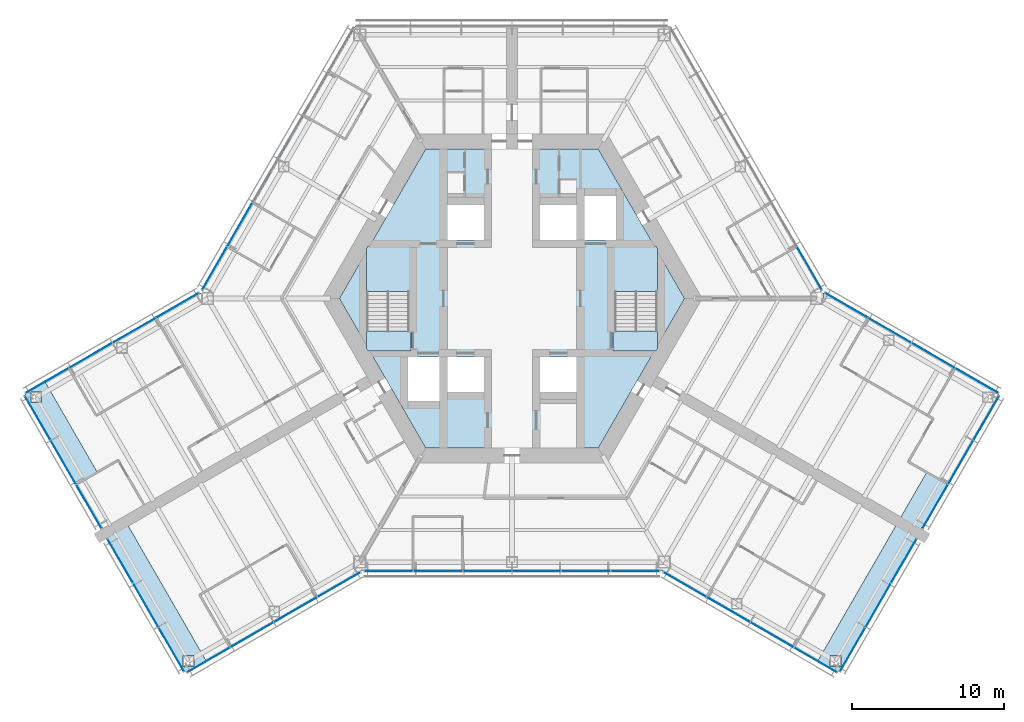
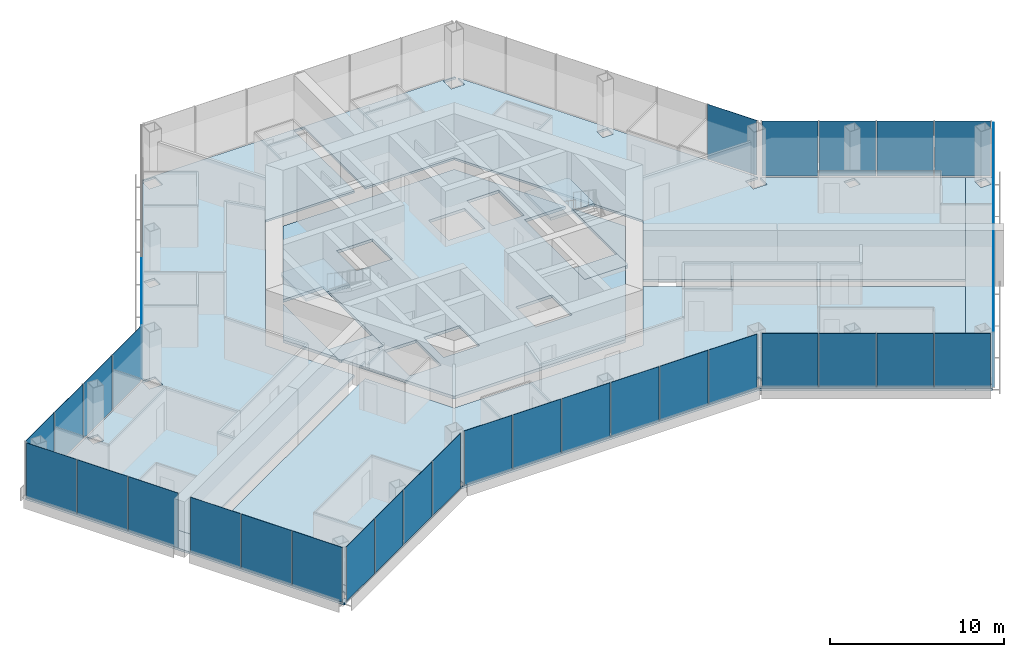
# One storey, part 10 of 18: 37 plates, 11 slabs, 13 elements without a shape of their own.
"""IFC4 building model written with IfcOpenShell, lengths in metres."""

import ifcopenshell
import ifcopenshell.guid

model = None  # the IFC model being written
_history = None  # IfcOwnerHistory: only IFC2X3 demands one
_inside = {}  # id of a spatial element -> (the spatial element, [elements in it])
_under = {}  # id of a project, library or spatial element -> (it, [spatial elements below it])
_declared = {}  # id of a project -> (the project, [libraries it declares])
_typed = {}  # id of a type object -> (the type object, [elements of that type])
_made_of = {}  # id of a material, layer set ... -> (it, [elements and type objects made of it])


def new_model(schema):
    """Start an empty IFC model of exactly this schema.

    Asked for "IFC4X3", IfcOpenShell would pick the latest addendum, in which some entities
    have other attributes; the version numbers below select the first issue.
    IFC2X3 requires an IfcOwnerHistory on every rooted entity: one is made here for all.
    """
    global model, _history
    if schema == "IFC4X3":
        model = ifcopenshell.file(schema_version=(4, 3, 0, 0))
    else:
        model = ifcopenshell.file(schema=schema)
    _inside.clear()
    _under.clear()
    _declared.clear()
    _typed.clear()
    _made_of.clear()
    _history = None
    if model.schema == "IFC2X3":
        org = make("IfcOrganization", Name="unknown")
        user = make(
            "IfcPersonAndOrganization",
            ThePerson=make("IfcPerson", FamilyName="unknown"),
            TheOrganization=org,
        )
        app = make(
            "IfcApplication",
            ApplicationDeveloper=org,
            Version="unknown",
            ApplicationFullName="unknown",
            ApplicationIdentifier="unknown",
        )
        _history = make(
            "IfcOwnerHistory",
            OwningUser=user,
            OwningApplication=app,
            ChangeAction="ADDED",
            CreationDate=0,
        )
    return model


def make(cls, **values):
    """One entity of the class cls with the attributes given. An attribute that is None is left unset."""
    return model.create_entity(
        cls, **{name: value for name, value in values.items() if value is not None}
    )


def rooted(cls, **values):
    """An entity with a GlobalId (a new one), such as an element, a storey or a relation."""
    return make(cls, GlobalId=ifcopenshell.guid.new(), OwnerHistory=_history, **values)


def si_unit(unit_type, name, prefix=None):
    """IfcSIUnit, for example si_unit("LENGTHUNIT", "METRE", prefix="MILLI")."""
    return make("IfcSIUnit", UnitType=unit_type, Prefix=prefix, Name=name)


def assignment(units):
    """IfcUnitAssignment: the units of a project."""
    return None if units is None else make("IfcUnitAssignment", Units=units)


def point(xyz):
    """IfcCartesianPoint."""
    return None if xyz is None else make("IfcCartesianPoint", Coordinates=xyz)


def direction(xyz):
    """IfcDirection."""
    return None if xyz is None else make("IfcDirection", DirectionRatios=xyz)


def frame(location, z_axis=None, x_axis=None):
    """IfcAxis2Placement3D, a coordinate frame: its origin and axes. An axis left out is left unset."""
    return make(
        "IfcAxis2Placement3D",
        Location=point(location),
        Axis=direction(z_axis),
        RefDirection=direction(x_axis),
    )


def frame_2d(location, x_axis=None):
    """IfcAxis2Placement2D, a coordinate frame in the plane: its origin and x axis."""
    return make(
        "IfcAxis2Placement2D", Location=point(location), RefDirection=direction(x_axis)
    )


def origin():
    """The frame at (0, 0, 0) with its axes left unset."""
    return frame((0.0, 0.0, 0.0))


def origin_2d():
    """The frame at (0, 0) in the plane with its x axis left unset."""
    return frame_2d((0.0, 0.0))


def place(relative_to, where):
    """IfcLocalPlacement: puts the frame where relative to a parent placement (None: the world)."""
    return make(
        "IfcLocalPlacement", PlacementRelTo=relative_to, RelativePlacement=where
    )


def context(
    kind, dimensions, precision=None, world=None, true_north=None, identifier=None
):
    """IfcGeometricRepresentationContext, for example the 3D "Model" context."""
    return make(
        "IfcGeometricRepresentationContext",
        ContextIdentifier=identifier,
        ContextType=kind,
        CoordinateSpaceDimension=dimensions,
        Precision=precision,
        WorldCoordinateSystem=world,
        TrueNorth=true_north,
    )


def subcontext(parent, identifier, kind, view, scale=None):
    """IfcGeometricRepresentationSubContext, for example "Body" below "Model"."""
    return make(
        "IfcGeometricRepresentationSubContext",
        ContextIdentifier=identifier,
        ContextType=kind,
        ParentContext=parent,
        TargetScale=scale,
        TargetView=view,
    )


def project(units=None, contexts=None):
    """IfcProject with its units and contexts."""
    return rooted(
        "IfcProject",
        Name="project",
        RepresentationContexts=contexts,
        UnitsInContext=assignment(units),
    )


def spatial(cls, under=None, at=None, **own):
    """A site, building, storey or space (cls), placed at a placement, below another one or the project."""
    s = rooted(cls, ObjectPlacement=at, **own)
    if under is not None:
        _under.setdefault(under.id(), (under, []))[1].append(s)
    return s


def polyline(points):
    """IfcPolyline through the points."""
    return make("IfcPolyline", Points=[point(p) for p in points])


def profile(cls, at=None, kind="AREA", **sizes):
    """A parametric profile (cls). Its sizes go by their IFC names, for example OverallWidth=200.0."""
    return make(cls, ProfileType=kind, Position=at, **sizes)


def rectangle(**sizes):
    """IfcRectangleProfileDef."""
    return profile("IfcRectangleProfileDef", **sizes)


def outline(outer, holes=None, kind="AREA"):
    """IfcArbitraryClosedProfileDef: a profile drawn as a closed curve; with holes, ...WithVoids."""
    if holes is None:
        return make("IfcArbitraryClosedProfileDef", ProfileType=kind, OuterCurve=outer)
    return make(
        "IfcArbitraryProfileDefWithVoids",
        ProfileType=kind,
        OuterCurve=outer,
        InnerCurves=holes,
    )


def extrude(swept, where, along, depth):
    """IfcExtrudedAreaSolid: the profile swept, set in the frame where, extruded along a direction by depth."""
    return make(
        "IfcExtrudedAreaSolid",
        SweptArea=swept,
        Position=where,
        ExtrudedDirection=direction(along),
        Depth=depth,
    )


def shape(context_of_items, identifier, shape_type, items):
    """IfcShapeRepresentation: the items that make up one representation, for example the "Body"."""
    return make(
        "IfcShapeRepresentation",
        ContextOfItems=context_of_items,
        RepresentationIdentifier=identifier,
        RepresentationType=shape_type,
        Items=items,
    )


def material(Name=None, Category=None):
    """IfcMaterial."""
    return make("IfcMaterial", Name=Name, Category=Category)


def layer(
    of_material, thickness, ventilated=None, Name=None, Category=None, Priority=None
):
    """IfcMaterialLayer: one layer of a wall or slab, of a material (None: an air gap)."""
    return make(
        "IfcMaterialLayer",
        Material=of_material,
        LayerThickness=thickness,
        IsVentilated=ventilated,
        Name=Name,
        Category=Category,
        Priority=Priority,
    )


def layer_set(layers, Name=None):
    """IfcMaterialLayerSet."""
    return make("IfcMaterialLayerSet", MaterialLayers=layers, LayerSetName=Name)


def made_of(thing, what):
    """Note that an element or type object is made of a material, layer set ...; save() writes the relation."""
    if what is not None:
        _made_of.setdefault(what.id(), (what, []))[1].append(thing)
    return thing


def type_object(cls, material=None, **own):
    """A type object (cls), such as IfcWallType, which elements share."""
    return made_of(rooted(cls, **own), material)


def element(
    cls,
    number,
    at=None,
    inside=None,
    cuts=None,
    type_object=None,
    material=None,
    context=None,
    identifier="Body",
    shape_type=None,
    held_by="IfcProductDefinitionShape",
    body=None,
    shapes=None,
    **own,
):
    """One element of the class cls, such as IfcWall. Its Tag is "e" and its number.

    at: its placement. inside: the storey or other place that contains it. cuts: it is an
    opening in that element (IfcRelVoidsElement). A single representation is given by context,
    identifier, shape_type and body (its items); several are given by shapes. held_by: the class
    of the entity that holds the representations. save() writes the other relations.
    """
    e = rooted(cls, Tag="e%d" % number, ObjectPlacement=at, **own)
    if body is not None:
        shapes = [shape(context, identifier, shape_type, body)]
    if shapes is not None:
        e.Representation = make(held_by, Representations=shapes)
    if inside is not None:
        _inside.setdefault(inside.id(), (inside, []))[1].append(e)
    if cuts is not None:
        rooted(
            "IfcRelVoidsElement", RelatingBuildingElement=cuts, RelatedOpeningElement=e
        )
    if type_object is not None:
        _typed.setdefault(type_object.id(), (type_object, []))[1].append(e)
    return made_of(e, material)


def aggregate(whole, parts):
    """IfcRelAggregates: a whole, such as a stair, and the parts it consists of."""
    return rooted("IfcRelAggregates", RelatingObject=whole, RelatedObjects=parts)


def save(model, path):
    """Write the relations noted so far, then the file.

    IfcRelAggregates (storeys below a building ...), IfcRelContainedInSpatialStructure (elements
    in a storey), IfcRelDefinesByType, IfcRelAssociatesMaterial and IfcRelDeclares: one each for
    every whole, place, type object, material and project.
    """
    for whole, parts in _under.values():
        aggregate(whole, parts)
    for where, things in _inside.values():
        rooted(
            "IfcRelContainedInSpatialStructure",
            RelatedElements=things,
            RelatingStructure=where,
        )
    for kind, things in _typed.values():
        rooted("IfcRelDefinesByType", RelatedObjects=things, RelatingType=kind)
    for what, things in _made_of.values():
        rooted("IfcRelAssociatesMaterial", RelatedObjects=things, RelatingMaterial=what)
    for by, libraries in _declared.values():
        rooted("IfcRelDeclares", RelatingContext=by, RelatedDefinitions=libraries)
    model.write(path)


model = new_model("IFC4")

# Units and contexts
model_context = context("Model", 3, precision=1e-05, world=origin(), true_north=direction((0.0, 1.0)))
body_context = subcontext(model_context, "Body", "Model", "MODEL_VIEW")
ifc_project = project(units=[si_unit("LENGTHUNIT", "METRE"), si_unit("AREAUNIT", "SQUARE_METRE"), si_unit("VOLUMEUNIT", "CUBIC_METRE"), si_unit("PLANEANGLEUNIT", "RADIAN"), si_unit("MASSUNIT", "GRAM", prefix="KILO")], contexts=[model_context])

# Site, building, storey
site_placement = place(None, origin())
site = spatial("IfcSite", under=ifc_project, at=site_placement, CompositionType="ELEMENT")
building_placement = place(site_placement, origin())
building = spatial("IfcBuilding", under=site, at=building_placement, Name="Kasaneha Research Tower", CompositionType="ELEMENT")
storey_placement = place(building_placement, frame((0.0, 0.0, 137.0)))
storey = spatial("IfcBuildingStorey", under=building, at=storey_placement, Name="L34", CompositionType="ELEMENT", Elevation=137.0)

# Curtain wall, plates
ifc_material_1 = material(Name="Glass and aluminium", Category="aluminium")
curtain_wall_type = type_object("IfcCurtainWallType", Name="Mid-rise office curtain wall", PredefinedType="USERDEFINED", material=ifc_material_1)
curtain_wall_1_placement = place(storey_placement, origin())
curtain_wall_1 = element("IfcCurtainWall", 1, at=curtain_wall_1_placement, inside=storey, type_object=curtain_wall_type, Name="CW-O2 L34 run 01a", ObjectType="UNITISED CURTAIN WALL", PredefinedType="USERDEFINED")
ifc_material_2 = material(Name="Laminated double glazing", Category="glass")
ifc_layer_1 = layer(ifc_material_2, 0.02587890625)
ifc_layer_set_1 = layer_set([ifc_layer_1], Name="CW-O2 glazed panel")
plate_type = type_object("IfcPlateType", Name="CW-O2 glazed panel", PredefinedType="CURTAIN_PANEL", material=ifc_layer_set_1)
plate_1_placement = place(storey_placement, frame((-8.10107421875, -17.92041015625, 0.06005859375), z_axis=(0.0, 0.0, 1.0), x_axis=(1.0, 0.0, 0.0)))
plate_1 = element("IfcPlate", 2, at=plate_1_placement, type_object=plate_type, Name="CW-O2 panel 1", PredefinedType="CURTAIN_PANEL", context=body_context, shape_type="SweptSolid", body=[
    extrude(rectangle(XDim=3.156494140625, YDim=0.02587890625, at=origin_2d()), origin(), (0.0, 0.0, 1.0), 3.840087890625),
])
plate_2_placement = place(storey_placement, frame((-4.86962890625, -17.92041015625, 0.06005859375), z_axis=(0.0, 0.0, 1.0), x_axis=(1.0, 0.0, 0.0)))
plate_2 = element("IfcPlate", 3, at=plate_2_placement, type_object=plate_type, Name="CW-O2 panel 2", PredefinedType="CURTAIN_PANEL", context=body_context, shape_type="SweptSolid", body=[
    extrude(rectangle(XDim=3.1865234375, YDim=0.02587890625, at=origin_2d()), origin(), (0.0, 0.0, 1.0), 3.840087890625),
])
plate_3_placement = place(storey_placement, frame((-1.623291015625, -17.92041015625, 0.06005859375), z_axis=(0.0, 0.0, 1.0), x_axis=(1.0, 0.0, 0.0)))
plate_3 = element("IfcPlate", 4, at=plate_3_placement, type_object=plate_type, Name="CW-O2 panel 3", PredefinedType="CURTAIN_PANEL", context=body_context, shape_type="SweptSolid", body=[
    extrude(rectangle(XDim=3.1865234375, YDim=0.02587890625, at=origin_2d()), origin(), (0.0, 0.0, 1.0), 3.840087890625),
])
plate_4_placement = place(storey_placement, frame((1.623291015625, -17.92041015625, 0.06005859375), z_axis=(0.0, 0.0, 1.0), x_axis=(1.0, 0.0, 0.0)))
plate_4 = element("IfcPlate", 5, at=plate_4_placement, type_object=plate_type, Name="CW-O2 panel 4", PredefinedType="CURTAIN_PANEL", context=body_context, shape_type="SweptSolid", body=[
    extrude(rectangle(XDim=3.1865234375, YDim=0.02587890625, at=origin_2d()), origin(), (0.0, 0.0, 1.0), 3.840087890625),
])
plate_5_placement = place(storey_placement, frame((4.86962890625, -17.92041015625, 0.06005859375), z_axis=(0.0, 0.0, 1.0), x_axis=(1.0, 0.0, 0.0)))
plate_5 = element("IfcPlate", 6, at=plate_5_placement, type_object=plate_type, Name="CW-O2 panel 5", PredefinedType="CURTAIN_PANEL", context=body_context, shape_type="SweptSolid", body=[
    extrude(rectangle(XDim=3.1865234375, YDim=0.02587890625, at=origin_2d()), origin(), (0.0, 0.0, 1.0), 3.840087890625),
])
plate_6_placement = place(storey_placement, frame((8.10107421875, -17.92041015625, 0.06005859375), z_axis=(0.0, 0.0, 1.0), x_axis=(1.0, 0.0, 0.0)))
plate_6 = element("IfcPlate", 7, at=plate_6_placement, type_object=plate_type, Name="CW-O2 panel 6", PredefinedType="CURTAIN_PANEL", context=body_context, shape_type="SweptSolid", body=[
    extrude(rectangle(XDim=3.156494140625, YDim=0.02587890625, at=origin_2d()), origin(), (0.0, 0.0, 1.0), 3.840087890625),
])
aggregate(curtain_wall_1, [plate_1, plate_2, plate_3, plate_4, plate_5, plate_6])

curtain_wall_2_placement = place(storey_placement, origin())
curtain_wall_2 = element("IfcCurtainWall", 8, at=curtain_wall_2_placement, inside=storey, type_object=curtain_wall_type, Name="CW-O2 L34 run 02a", ObjectType="UNITISED CURTAIN WALL", PredefinedType="USERDEFINED")
plate_7_placement = place(storey_placement, frame((11.3720703125, -18.805419921875, 0.06005859375), z_axis=(0.0, 0.0, 1.0), x_axis=(0.866025411464, -0.499999986699, 0.0)))
plate_7 = element("IfcPlate", 9, at=plate_7_placement, type_object=plate_type, Name="CW-O2 panel 1", PredefinedType="CURTAIN_PANEL", context=body_context, shape_type="SweptSolid", body=[
    extrude(rectangle(XDim=3.2197265625, YDim=0.02587890625, at=origin_2d()), origin(), (0.0, 0.0, 1.0), 3.840087890625),
])
plate_8_placement = place(storey_placement, frame((14.225341796875, -20.452880859375, 0.06005859375), z_axis=(0.0, 0.0, 1.0), x_axis=(0.866025411464, -0.499999986699, 0.0)))
plate_8 = element("IfcPlate", 10, at=plate_8_placement, type_object=plate_type, Name="CW-O2 panel 2", PredefinedType="CURTAIN_PANEL", context=body_context, shape_type="SweptSolid", body=[
    extrude(rectangle(XDim=3.249755859375, YDim=0.02587890625, at=origin_2d()), origin(), (0.0, 0.0, 1.0), 3.840087890625),
])
plate_9_placement = place(storey_placement, frame((17.091796875, -22.107666015625, 0.06005859375), z_axis=(0.0, 0.0, 1.0), x_axis=(0.866025411464, -0.499999986699, 0.0)))
plate_9 = element("IfcPlate", 11, at=plate_9_placement, type_object=plate_type, Name="CW-O2 panel 3", PredefinedType="CURTAIN_PANEL", context=body_context, shape_type="SweptSolid", body=[
    extrude(rectangle(XDim=3.249755859375, YDim=0.02587890625, at=origin_2d()), origin(), (0.0, 0.0, 1.0), 3.840087890625),
])
plate_10_placement = place(storey_placement, frame((19.945068359375, -23.755126953125, 0.06005859375), z_axis=(0.0, 0.0, 1.0), x_axis=(0.866025411464, -0.499999986699, 0.0)))
plate_10 = element("IfcPlate", 12, at=plate_10_placement, type_object=plate_type, Name="CW-O2 panel 4", PredefinedType="CURTAIN_PANEL", context=body_context, shape_type="SweptSolid", body=[
    extrude(rectangle(XDim=3.2197265625, YDim=0.02587890625, at=origin_2d()), origin(), (0.0, 0.0, 1.0), 3.840087890625),
])
aggregate(curtain_wall_2, [plate_7, plate_8, plate_9, plate_10])

curtain_wall_3_placement = place(storey_placement, origin())
curtain_wall_3 = element("IfcCurtainWall", 13, at=curtain_wall_3_placement, inside=storey, type_object=curtain_wall_type, Name="CW-O2 L34 run 03a", ObjectType="UNITISED CURTAIN WALL", PredefinedType="USERDEFINED")
plate_11_placement = place(storey_placement, frame((22.38134765625, -23.075439453125, 0.06005859375), z_axis=(0.0, 0.0, 1.0), x_axis=(0.500000011442, 0.866025397178, 0.0)))
plate_11 = element("IfcPlate", 14, at=plate_11_placement, type_object=plate_type, Name="CW-O2 panel 1", PredefinedType="CURTAIN_PANEL", context=body_context, shape_type="SweptSolid", body=[
    extrude(rectangle(XDim=3.293212890625, YDim=0.02587890625, at=origin_2d()), origin(), (0.0, 0.0, 1.0), 3.840087890625),
])
plate_12_placement = place(storey_placement, frame((24.0654296875, -20.158447265625, 0.06005859375), z_axis=(0.0, 0.0, 1.0), x_axis=(0.500000011442, 0.866025397178, 0.0)))
plate_12 = element("IfcPlate", 15, at=plate_12_placement, type_object=plate_type, Name="CW-O2 panel 2", PredefinedType="CURTAIN_PANEL", context=body_context, shape_type="SweptSolid", body=[
    extrude(rectangle(XDim=3.3232421875, YDim=0.02587890625, at=origin_2d()), origin(), (0.0, 0.0, 1.0), 3.840087890625),
])
plate_13_placement = place(storey_placement, frame((25.74951171875, -17.241455078125, 0.06005859375), z_axis=(0.0, 0.0, 1.0), x_axis=(0.500000011442, 0.866025397178, 0.0)))
plate_13 = element("IfcPlate", 16, at=plate_13_placement, type_object=plate_type, Name="CW-O2 panel 3", PredefinedType="CURTAIN_PANEL", context=body_context, shape_type="SweptSolid", body=[
    extrude(rectangle(XDim=3.293212890625, YDim=0.02587890625, at=origin_2d()), origin(), (0.0, 0.0, 1.0), 3.840087890625),
])
aggregate(curtain_wall_3, [plate_11, plate_12, plate_13])

curtain_wall_4_placement = place(storey_placement, origin())
curtain_wall_4 = element("IfcCurtainWall", 17, at=curtain_wall_4_placement, inside=storey, type_object=curtain_wall_type, Name="CW-O2 L34 run 04a", ObjectType="UNITISED CURTAIN WALL", PredefinedType="USERDEFINED")
plate_14_placement = place(storey_placement, frame((27.806396484375, -13.67919921875, 0.06005859375), z_axis=(0.0, 0.0, 1.0), x_axis=(0.500000011442, 0.866025397178, 0.0)))
plate_14 = element("IfcPlate", 18, at=plate_14_placement, type_object=plate_type, Name="CW-O2 panel 1", PredefinedType="CURTAIN_PANEL", context=body_context, shape_type="SweptSolid", body=[
    extrude(rectangle(XDim=3.293212890625, YDim=0.02587890625, at=origin_2d()), origin(), (0.0, 0.0, 1.0), 3.840087890625),
])
plate_15_placement = place(storey_placement, frame((29.490478515625, -10.761962890625, 0.06005859375), z_axis=(0.0, 0.0, 1.0), x_axis=(0.500000011442, 0.866025397178, 0.0)))
plate_15 = element("IfcPlate", 19, at=plate_15_placement, type_object=plate_type, Name="CW-O2 panel 2", PredefinedType="CURTAIN_PANEL", context=body_context, shape_type="SweptSolid", body=[
    extrude(rectangle(XDim=3.3232421875, YDim=0.02587890625, at=origin_2d()), origin(), (0.0, 0.0, 1.0), 3.840087890625),
])
plate_16_placement = place(storey_placement, frame((31.174560546875, -7.844970703125, 0.06005859375), z_axis=(0.0, 0.0, 1.0), x_axis=(0.500000011442, 0.866025397178, 0.0)))
plate_16 = element("IfcPlate", 20, at=plate_16_placement, type_object=plate_type, Name="CW-O2 panel 3", PredefinedType="CURTAIN_PANEL", context=body_context, shape_type="SweptSolid", body=[
    extrude(rectangle(XDim=3.293212890625, YDim=0.02587890625, at=origin_2d()), origin(), (0.0, 0.0, 1.0), 3.840087890625),
])
aggregate(curtain_wall_4, [plate_14, plate_15, plate_16])

curtain_wall_5_placement = place(storey_placement, origin())
curtain_wall_5 = element("IfcCurtainWall", 21, at=curtain_wall_5_placement, inside=storey, type_object=curtain_wall_type, Name="CW-O2 L34 run 05a", ObjectType="UNITISED CURTAIN WALL", PredefinedType="USERDEFINED")
plate_17_placement = place(storey_placement, frame((30.545166015625, -5.3955078125, 0.06005859375), z_axis=(0.0, 0.0, 1.0), x_axis=(-0.866025411464, 0.499999986699, 0.0)))
plate_17 = element("IfcPlate", 22, at=plate_17_placement, type_object=plate_type, Name="CW-O2 panel 1", PredefinedType="CURTAIN_PANEL", context=body_context, shape_type="SweptSolid", body=[
    extrude(rectangle(XDim=3.2197265625, YDim=0.02587890625, at=origin_2d()), origin(), (0.0, 0.0, 1.0), 3.840087890625),
])
plate_18_placement = place(storey_placement, frame((27.69189453125, -3.748046875, 0.06005859375), z_axis=(0.0, 0.0, 1.0), x_axis=(-0.866025411464, 0.499999986699, 0.0)))
plate_18 = element("IfcPlate", 23, at=plate_18_placement, type_object=plate_type, Name="CW-O2 panel 2", PredefinedType="CURTAIN_PANEL", context=body_context, shape_type="SweptSolid", body=[
    extrude(rectangle(XDim=3.249755859375, YDim=0.02587890625, at=origin_2d()), origin(), (0.0, 0.0, 1.0), 3.840087890625),
])
plate_19_placement = place(storey_placement, frame((24.825439453125, -2.093017578125, 0.06005859375), z_axis=(0.0, 0.0, 1.0), x_axis=(-0.866025411464, 0.499999986699, 0.0)))
plate_19 = element("IfcPlate", 24, at=plate_19_placement, type_object=plate_type, Name="CW-O2 panel 3", PredefinedType="CURTAIN_PANEL", context=body_context, shape_type="SweptSolid", body=[
    extrude(rectangle(XDim=3.249755859375, YDim=0.02587890625, at=origin_2d()), origin(), (0.0, 0.0, 1.0), 3.840087890625),
])
plate_20_placement = place(storey_placement, frame((21.971923828125, -0.44580078125, 0.06005859375), z_axis=(0.0, 0.0, 1.0), x_axis=(-0.866025411464, 0.499999986699, 0.0)))
plate_20 = element("IfcPlate", 25, at=plate_20_placement, type_object=plate_type, Name="CW-O2 panel 4", PredefinedType="CURTAIN_PANEL", context=body_context, shape_type="SweptSolid", body=[
    extrude(rectangle(XDim=3.2197265625, YDim=0.02587890625, at=origin_2d()), origin(), (0.0, 0.0, 1.0), 3.840087890625),
])
aggregate(curtain_wall_5, [plate_17, plate_18, plate_19, plate_20])

# Curtain wall, plate
curtain_wall_6_placement = place(storey_placement, origin())
curtain_wall_6 = element("IfcCurtainWall", 26, at=curtain_wall_6_placement, inside=storey, type_object=curtain_wall_type, Name="CW-O2 L34 run 06a", ObjectType="UNITISED CURTAIN WALL", PredefinedType="USERDEFINED")
plate_21_placement = place(storey_placement, frame((19.549072265625, 1.981201171875, 0.06005859375), z_axis=(0.0, 0.0, 1.0), x_axis=(-0.499999979232, 0.866025415775, 0.0)))
plate_21 = element("IfcPlate", 27, at=plate_21_placement, type_object=plate_type, Name="CW-O2 panel 1", PredefinedType="CURTAIN_PANEL", context=body_context, shape_type="SweptSolid", body=[
    extrude(rectangle(XDim=3.240966796875, YDim=0.02587890625, at=origin_2d()), origin(), (0.0, 0.0, 1.0), 3.840087890625),
])
aggregate(curtain_wall_6, [plate_21])

# Curtain wall, plates
curtain_wall_7_placement = place(storey_placement, origin())
curtain_wall_7 = element("IfcCurtainWall", 28, at=curtain_wall_7_placement, inside=storey, type_object=curtain_wall_type, Name="CW-O2 L34 run 08a", ObjectType="UNITISED CURTAIN WALL", PredefinedType="USERDEFINED")
plate_22_placement = place(storey_placement, frame((-17.89111328125, 4.852783203125, 0.06005859375), z_axis=(0.0, 0.0, 1.0), x_axis=(-0.499999979232, -0.866025415775, 0.0)))
plate_22 = element("IfcPlate", 29, at=plate_22_placement, type_object=plate_type, Name="CW-O2 panel 5", PredefinedType="CURTAIN_PANEL", context=body_context, shape_type="SweptSolid", body=[
    extrude(rectangle(XDim=3.27099609375, YDim=0.02587890625, at=origin_2d()), origin(), (0.0, 0.0, 1.0), 3.840087890625),
])
plate_23_placement = place(storey_placement, frame((-19.549072265625, 1.981201171875, 0.06005859375), z_axis=(0.0, 0.0, 1.0), x_axis=(-0.499999979232, -0.866025415775, 0.0)))
plate_23 = element("IfcPlate", 30, at=plate_23_placement, type_object=plate_type, Name="CW-O2 panel 6", PredefinedType="CURTAIN_PANEL", context=body_context, shape_type="SweptSolid", body=[
    extrude(rectangle(XDim=3.240966796875, YDim=0.02587890625, at=origin_2d()), origin(), (0.0, 0.0, 1.0), 3.840087890625),
])
aggregate(curtain_wall_7, [plate_22, plate_23])

curtain_wall_8_placement = place(storey_placement, origin())
curtain_wall_8 = element("IfcCurtainWall", 31, at=curtain_wall_8_placement, inside=storey, type_object=curtain_wall_type, Name="CW-O2 L34 run 09a", ObjectType="UNITISED CURTAIN WALL", PredefinedType="USERDEFINED")
plate_24_placement = place(storey_placement, frame((-21.971923828125, -0.44580078125, 0.06005859375), z_axis=(0.0, 0.0, 1.0), x_axis=(-0.866025411464, -0.499999986699, 0.0)))
plate_24 = element("IfcPlate", 32, at=plate_24_placement, type_object=plate_type, Name="CW-O2 panel 1", PredefinedType="CURTAIN_PANEL", context=body_context, shape_type="SweptSolid", body=[
    extrude(rectangle(XDim=3.2197265625, YDim=0.02587890625, at=origin_2d()), origin(), (0.0, 0.0, 1.0), 3.840087890625),
])
plate_25_placement = place(storey_placement, frame((-24.825439453125, -2.093017578125, 0.06005859375), z_axis=(0.0, 0.0, 1.0), x_axis=(-0.866025411464, -0.499999986699, 0.0)))
plate_25 = element("IfcPlate", 33, at=plate_25_placement, type_object=plate_type, Name="CW-O2 panel 2", PredefinedType="CURTAIN_PANEL", context=body_context, shape_type="SweptSolid", body=[
    extrude(rectangle(XDim=3.249755859375, YDim=0.02587890625, at=origin_2d()), origin(), (0.0, 0.0, 1.0), 3.840087890625),
])
plate_26_placement = place(storey_placement, frame((-27.69189453125, -3.748046875, 0.06005859375), z_axis=(0.0, 0.0, 1.0), x_axis=(-0.866025411464, -0.499999986699, 0.0)))
plate_26 = element("IfcPlate", 34, at=plate_26_placement, type_object=plate_type, Name="CW-O2 panel 3", PredefinedType="CURTAIN_PANEL", context=body_context, shape_type="SweptSolid", body=[
    extrude(rectangle(XDim=3.249755859375, YDim=0.02587890625, at=origin_2d()), origin(), (0.0, 0.0, 1.0), 3.840087890625),
])
plate_27_placement = place(storey_placement, frame((-30.545166015625, -5.3955078125, 0.06005859375), z_axis=(0.0, 0.0, 1.0), x_axis=(-0.866025411464, -0.499999986699, 0.0)))
plate_27 = element("IfcPlate", 35, at=plate_27_placement, type_object=plate_type, Name="CW-O2 panel 4", PredefinedType="CURTAIN_PANEL", context=body_context, shape_type="SweptSolid", body=[
    extrude(rectangle(XDim=3.2197265625, YDim=0.02587890625, at=origin_2d()), origin(), (0.0, 0.0, 1.0), 3.840087890625),
])
aggregate(curtain_wall_8, [plate_24, plate_25, plate_26, plate_27])

curtain_wall_9_placement = place(storey_placement, origin())
curtain_wall_9 = element("IfcCurtainWall", 36, at=curtain_wall_9_placement, inside=storey, type_object=curtain_wall_type, Name="CW-O2 L34 run 10a", ObjectType="UNITISED CURTAIN WALL", PredefinedType="USERDEFINED")
plate_28_placement = place(storey_placement, frame((-31.174560546875, -7.844970703125, 0.06005859375), z_axis=(0.0, 0.0, 1.0), x_axis=(0.500000011442, -0.866025397178, 0.0)))
plate_28 = element("IfcPlate", 37, at=plate_28_placement, type_object=plate_type, Name="CW-O2 panel 1", PredefinedType="CURTAIN_PANEL", context=body_context, shape_type="SweptSolid", body=[
    extrude(rectangle(XDim=3.293212890625, YDim=0.02587890625, at=origin_2d()), origin(), (0.0, 0.0, 1.0), 3.840087890625),
])
plate_29_placement = place(storey_placement, frame((-29.490478515625, -10.761962890625, 0.06005859375), z_axis=(0.0, 0.0, 1.0), x_axis=(0.500000011442, -0.866025397178, 0.0)))
plate_29 = element("IfcPlate", 38, at=plate_29_placement, type_object=plate_type, Name="CW-O2 panel 2", PredefinedType="CURTAIN_PANEL", context=body_context, shape_type="SweptSolid", body=[
    extrude(rectangle(XDim=3.3232421875, YDim=0.02587890625, at=origin_2d()), origin(), (0.0, 0.0, 1.0), 3.840087890625),
])
plate_30_placement = place(storey_placement, frame((-27.806396484375, -13.67919921875, 0.06005859375), z_axis=(0.0, 0.0, 1.0), x_axis=(0.500000011442, -0.866025397178, 0.0)))
plate_30 = element("IfcPlate", 39, at=plate_30_placement, type_object=plate_type, Name="CW-O2 panel 3", PredefinedType="CURTAIN_PANEL", context=body_context, shape_type="SweptSolid", body=[
    extrude(rectangle(XDim=3.293212890625, YDim=0.02587890625, at=origin_2d()), origin(), (0.0, 0.0, 1.0), 3.840087890625),
])
aggregate(curtain_wall_9, [plate_28, plate_29, plate_30])

curtain_wall_10_placement = place(storey_placement, origin())
curtain_wall_10 = element("IfcCurtainWall", 40, at=curtain_wall_10_placement, inside=storey, type_object=curtain_wall_type, Name="CW-O2 L34 run 11a", ObjectType="UNITISED CURTAIN WALL", PredefinedType="USERDEFINED")
plate_31_placement = place(storey_placement, frame((-25.74951171875, -17.241455078125, 0.06005859375), z_axis=(0.0, 0.0, 1.0), x_axis=(0.500000011442, -0.866025397178, 0.0)))
plate_31 = element("IfcPlate", 41, at=plate_31_placement, type_object=plate_type, Name="CW-O2 panel 1", PredefinedType="CURTAIN_PANEL", context=body_context, shape_type="SweptSolid", body=[
    extrude(rectangle(XDim=3.293212890625, YDim=0.02587890625, at=origin_2d()), origin(), (0.0, 0.0, 1.0), 3.840087890625),
])
plate_32_placement = place(storey_placement, frame((-24.0654296875, -20.158447265625, 0.06005859375), z_axis=(0.0, 0.0, 1.0), x_axis=(0.500000011442, -0.866025397178, 0.0)))
plate_32 = element("IfcPlate", 42, at=plate_32_placement, type_object=plate_type, Name="CW-O2 panel 2", PredefinedType="CURTAIN_PANEL", context=body_context, shape_type="SweptSolid", body=[
    extrude(rectangle(XDim=3.3232421875, YDim=0.02587890625, at=origin_2d()), origin(), (0.0, 0.0, 1.0), 3.840087890625),
])
plate_33_placement = place(storey_placement, frame((-22.38134765625, -23.075439453125, 0.06005859375), z_axis=(0.0, 0.0, 1.0), x_axis=(0.500000011442, -0.866025397178, 0.0)))
plate_33 = element("IfcPlate", 43, at=plate_33_placement, type_object=plate_type, Name="CW-O2 panel 3", PredefinedType="CURTAIN_PANEL", context=body_context, shape_type="SweptSolid", body=[
    extrude(rectangle(XDim=3.293212890625, YDim=0.02587890625, at=origin_2d()), origin(), (0.0, 0.0, 1.0), 3.840087890625),
])
aggregate(curtain_wall_10, [plate_31, plate_32, plate_33])

curtain_wall_11_placement = place(storey_placement, origin())
curtain_wall_11 = element("IfcCurtainWall", 44, at=curtain_wall_11_placement, inside=storey, type_object=curtain_wall_type, Name="CW-O2 L34 run 12a", ObjectType="UNITISED CURTAIN WALL", PredefinedType="USERDEFINED")
plate_34_placement = place(storey_placement, frame((-19.945068359375, -23.755126953125, 0.06005859375), z_axis=(0.0, 0.0, 1.0), x_axis=(0.866025411464, 0.499999986699, 0.0)))
plate_34 = element("IfcPlate", 45, at=plate_34_placement, type_object=plate_type, Name="CW-O2 panel 1", PredefinedType="CURTAIN_PANEL", context=body_context, shape_type="SweptSolid", body=[
    extrude(rectangle(XDim=3.2197265625, YDim=0.02587890625, at=origin_2d()), origin(), (0.0, 0.0, 1.0), 3.840087890625),
])
plate_35_placement = place(storey_placement, frame((-17.091796875, -22.107666015625, 0.06005859375), z_axis=(0.0, 0.0, 1.0), x_axis=(0.866025411464, 0.499999986699, 0.0)))
plate_35 = element("IfcPlate", 46, at=plate_35_placement, type_object=plate_type, Name="CW-O2 panel 2", PredefinedType="CURTAIN_PANEL", context=body_context, shape_type="SweptSolid", body=[
    extrude(rectangle(XDim=3.249755859375, YDim=0.02587890625, at=origin_2d()), origin(), (0.0, 0.0, 1.0), 3.840087890625),
])
plate_36_placement = place(storey_placement, frame((-14.225341796875, -20.452880859375, 0.06005859375), z_axis=(0.0, 0.0, 1.0), x_axis=(0.866025411464, 0.499999986699, 0.0)))
plate_36 = element("IfcPlate", 47, at=plate_36_placement, type_object=plate_type, Name="CW-O2 panel 3", PredefinedType="CURTAIN_PANEL", context=body_context, shape_type="SweptSolid", body=[
    extrude(rectangle(XDim=3.249755859375, YDim=0.02587890625, at=origin_2d()), origin(), (0.0, 0.0, 1.0), 3.840087890625),
])
plate_37_placement = place(storey_placement, frame((-11.3720703125, -18.805419921875, 0.06005859375), z_axis=(0.0, 0.0, 1.0), x_axis=(0.866025411464, 0.499999986699, 0.0)))
plate_37 = element("IfcPlate", 48, at=plate_37_placement, type_object=plate_type, Name="CW-O2 panel 4", PredefinedType="CURTAIN_PANEL", context=body_context, shape_type="SweptSolid", body=[
    extrude(rectangle(XDim=3.2197265625, YDim=0.02587890625, at=origin_2d()), origin(), (0.0, 0.0, 1.0), 3.840087890625),
])
aggregate(curtain_wall_11, [plate_34, plate_35, plate_36, plate_37])

# Slabs
ifc_material_3 = material(Name="Concrete Fc24", Category="concrete")
ifc_layer_2 = layer(ifc_material_3, 0.199951171875)
ifc_layer_set_2 = layer_set([ifc_layer_2], Name="Core floor slab 200")
slab_type_1 = type_object("IfcSlabType", Name="Core floor slab 200", PredefinedType="FLOOR", material=ifc_layer_set_2)
slab_1_placement = place(storey_placement, frame((0.0, 0.0, -0.199951171875)))
element("IfcSlab", 49, at=slab_1_placement, inside=storey, type_object=slab_type_1, Name="Core slab L34", PredefinedType="FLOOR", context=body_context, shape_type="SweptSolid", body=[
    extrude(outline(polyline([(-11.344970703125, 0.0), (-9.550048828125, 3.10888671875), (-9.550048828125, -3.10888671875), (-11.344970703125, 0.0)])), origin(), (0.0, 0.0, 1.0), 0.199951171875),
])
slab_2_placement = place(storey_placement, frame((0.0, 0.0, -0.199951171875)))
element("IfcSlab", 50, at=slab_2_placement, inside=storey, type_object=slab_type_1, Name="Core slab L34", PredefinedType="FLOOR", context=body_context, shape_type="SweptSolid", body=[
    extrude(outline(polyline([(-5.67236328125, 9.824951171875), (5.67236328125, 9.824951171875), (9.35302734375, 3.449951171875), (6.64990234375, 3.449951171875), (6.64990234375, -3.449951171875), (9.35302734375, -3.449951171875), (5.67236328125, -9.824951171875), (-5.67236328125, -9.824951171875), (-9.35302734375, -3.449951171875), (-6.64990234375, -3.449951171875), (-6.64990234375, 3.449951171875), (-9.35302734375, 3.449951171875), (-5.67236328125, 9.824951171875)]), holes=[polyline([(-6.85009765625, -3.85009765625), (-6.85009765625, -6.75), (-4.75, -6.75), (-4.75, -3.85009765625), (-6.85009765625, -3.85009765625)]), polyline([(-4.25, -3.85009765625), (-4.25, -6.14990234375), (-1.85009765625, -6.14990234375), (-1.85009765625, -3.85009765625), (-4.25, -3.85009765625)]), polyline([(1.85009765625, -3.85009765625), (1.85009765625, -6.14990234375), (4.25, -6.14990234375), (4.25, -3.85009765625), (1.85009765625, -3.85009765625)]), polyline([(-4.25, 6.14990234375), (-4.25, 3.85009765625), (-1.85009765625, 3.85009765625), (-1.85009765625, 6.14990234375), (-4.25, 6.14990234375)]), polyline([(1.85009765625, 6.14990234375), (1.85009765625, 3.85009765625), (4.25, 3.85009765625), (4.25, 6.14990234375), (1.85009765625, 6.14990234375)]), polyline([(4.75, 6.75), (4.75, 3.85009765625), (6.85009765625, 3.85009765625), (6.85009765625, 6.75), (4.75, 6.75)])]), origin(), (0.0, 0.0, 1.0), 0.199951171875),
])
slab_3_placement = place(storey_placement, frame((0.0, 0.0, -0.199951171875)))
element("IfcSlab", 51, at=slab_3_placement, inside=storey, type_object=slab_type_1, Name="Core slab L34", PredefinedType="FLOOR", context=body_context, shape_type="SweptSolid", body=[
    extrude(outline(polyline([(11.344970703125, 0.0), (9.550048828125, -3.10888671875), (9.550048828125, 3.10888671875), (11.344970703125, 0.0)])), origin(), (0.0, 0.0, 1.0), 0.199951171875),
])
ifc_material_4 = material(Name="Concrete Fc24", Category="concrete")
ifc_layer_3 = layer(ifc_material_4, 0.14990234375)
ifc_layer_set_3 = layer_set([ifc_layer_3], Name="Floor slab 150")
slab_type_2 = type_object("IfcSlabType", Name="Floor slab 150", PredefinedType="FLOOR", material=ifc_layer_set_3)
slab_4_placement = place(storey_placement, frame((0.0, 0.0, -0.14990234375)))
element("IfcSlab", 52, at=slab_4_placement, inside=storey, type_object=slab_type_2, Name="Floor slab L34 1", PredefinedType="FLOOR", context=body_context, shape_type="SweptSolid", body=[
    extrude(outline(polyline([(-25.55859375, -14.35205078125), (-25.5673828125, -14.357177734375), (-25.21728515625, -14.96337890625), (-25.208740234375, -14.958251953125), (-20.108642578125, -23.791748046875), (-21.459716796875, -24.57177734375), (-32.009521484375, -6.298583984375), (-30.65869140625, -5.518798828125), (-25.55859375, -14.35205078125)]), holes=[polyline([(-21.6083984375, -24.17041015625), (-20.908447265625, -24.17041015625), (-20.908447265625, -23.470458984375), (-21.6083984375, -23.470458984375), (-21.6083984375, -24.17041015625)]), polyline([(-31.6083984375, -6.85009765625), (-30.908447265625, -6.85009765625), (-30.908447265625, -6.14990234375), (-31.6083984375, -6.14990234375), (-31.6083984375, -6.85009765625)])]), origin(), (0.0, 0.0, 1.0), 0.14990234375),
])
slab_5_placement = place(storey_placement, frame((0.0, 0.0, -0.14990234375)))
element("IfcSlab", 53, at=slab_5_placement, inside=storey, type_object=slab_type_2, Name="Floor slab L34 2", PredefinedType="FLOOR", context=body_context, shape_type="SweptSolid", body=[
    extrude(outline(polyline([(9.8525390625, -17.87060546875), (-9.8525390625, -17.87060546875), (-20.108642578125, -23.791748046875), (-25.208740234375, -14.958251953125), (-9.19970703125, -5.715576171875), (-6.249755859375, -10.824951171875), (6.249755859375, -10.824951171875), (9.19970703125, -5.715576171875), (25.208740234375, -14.958251953125), (20.108642578125, -23.791748046875), (9.8525390625, -17.87060546875)]), holes=[polyline([(-15.979248046875, -20.92041015625), (-15.279052734375, -20.92041015625), (-15.279052734375, -20.220458984375), (-15.979248046875, -20.220458984375), (-15.979248046875, -20.92041015625)]), polyline([(-0.35009765625, -17.67041015625), (0.35009765625, -17.67041015625), (0.35009765625, -16.970458984375), (-0.35009765625, -16.970458984375), (-0.35009765625, -17.67041015625)]), polyline([(-10.449951171875, -16.87060546875), (-10.449951171875, -17.7705078125), (-9.550048828125, -17.7705078125), (-9.550048828125, -16.87060546875), (-10.449951171875, -16.87060546875)]), polyline([(14.4130859375, -20.42041015625), (15.113037109375, -20.42041015625), (15.113037109375, -19.720458984375), (14.4130859375, -19.720458984375), (14.4130859375, -20.42041015625)]), polyline([(9.550048828125, -16.87060546875), (9.550048828125, -17.7705078125), (10.449951171875, -17.7705078125), (10.449951171875, -16.87060546875), (9.550048828125, -16.87060546875)])]), origin(), (0.0, 0.0, 1.0), 0.14990234375),
])
slab_6_placement = place(storey_placement, frame((0.0, 0.0, -0.14990234375)))
element("IfcSlab", 54, at=slab_6_placement, inside=storey, type_object=slab_type_2, Name="Floor slab L34 3", PredefinedType="FLOOR", context=body_context, shape_type="SweptSolid", body=[
    extrude(outline(polyline([(-20.449951171875, -0.449951171875), (-19.550048828125, -0.449951171875), (-19.550048828125, 0.449951171875), (-20.375244140625, 0.449951171875), (-10.449951171875, 17.64111328125), (-10.449951171875, 16.87060546875), (-9.550048828125, 16.87060546875), (-9.550048828125, 17.7705078125), (-10.375244140625, 17.7705078125), (-10.317626953125, 17.87060546875), (10.317626953125, 17.87060546875), (10.375244140625, 17.7705078125), (9.550048828125, 17.7705078125), (9.550048828125, 16.87060546875), (10.449951171875, 16.87060546875), (10.449951171875, 17.64111328125), (20.375244140625, 0.449951171875), (19.550048828125, 0.449951171875), (19.550048828125, -0.449951171875), (20.449951171875, -0.449951171875), (20.449951171875, 0.375244140625), (30.65869140625, -5.518798828125), (25.55859375, -14.35205078125), (9.5498046875, -5.109375), (12.49951171875, 0.0), (6.249755859375, 10.824951171875), (0.35009765625, 10.824951171875), (0.35009765625, 17.7705078125), (-0.35009765625, 17.7705078125), (-0.35009765625, 10.824951171875), (-6.249755859375, 10.824951171875), (-12.49951171875, 0.0), (-9.5498046875, -5.109375), (-25.55859375, -14.35205078125), (-30.65869140625, -5.518798828125), (-20.449951171875, 0.375244140625), (-20.449951171875, -0.449951171875)]), holes=[polyline([(-25.979248046875, -3.60009765625), (-25.279052734375, -3.60009765625), (-25.279052734375, -2.89990234375), (-25.979248046875, -2.89990234375), (-25.979248046875, -3.60009765625)]), polyline([(-15.35009765625, 9.01025390625), (-15.35009765625, 8.310302734375), (-14.64990234375, 8.310302734375), (-14.64990234375, 9.01025390625), (-15.35009765625, 9.01025390625)]), polyline([(24.4130859375, -2.39990234375), (24.4130859375, -3.10009765625), (25.113037109375, -3.10009765625), (25.113037109375, -2.39990234375), (24.4130859375, -2.39990234375)]), polyline([(14.64990234375, 9.01025390625), (14.64990234375, 8.310302734375), (15.35009765625, 8.310302734375), (15.35009765625, 9.01025390625), (14.64990234375, 9.01025390625)])]), origin(), (0.0, 0.0, 1.0), 0.14990234375),
])
slab_7_placement = place(storey_placement, frame((0.0, 0.0, -0.14990234375)))
element("IfcSlab", 55, at=slab_7_placement, inside=storey, type_object=slab_type_2, Name="Floor slab L34 4", PredefinedType="FLOOR", context=body_context, shape_type="SweptSolid", body=[
    extrude(outline(polyline([(32.009521484375, -6.298583984375), (21.459716796875, -24.57177734375), (20.108642578125, -23.791748046875), (25.208740234375, -14.958251953125), (25.21728515625, -14.96337890625), (25.5673828125, -14.357177734375), (25.55859375, -14.35205078125), (30.65869140625, -5.518798828125), (32.009521484375, -6.298583984375)]), holes=[polyline([(20.908447265625, -24.17041015625), (21.6083984375, -24.17041015625), (21.6083984375, -23.470458984375), (20.908447265625, -23.470458984375), (20.908447265625, -24.17041015625)]), polyline([(30.908447265625, -6.85009765625), (31.6083984375, -6.85009765625), (31.6083984375, -6.14990234375), (30.908447265625, -6.14990234375), (30.908447265625, -6.85009765625)])]), origin(), (0.0, 0.0, 1.0), 0.14990234375),
])

# Stair, slabs
ifc_material_5 = material(Name="Concrete Fc24", Category="concrete")
stair_type = type_object("IfcStairType", Name="Half-turn stair 22 risers", PredefinedType="HALF_TURN_STAIR", material=ifc_material_5)
stair_1_placement = place(storey_placement, origin())
stair_1 = element("IfcStair", 56, at=stair_1_placement, inside=storey, type_object=stair_type, Name="Stair 1 L34", PredefinedType="HALF_TURN_STAIR")
ifc_material_6 = material(Name="Concrete Fc24", Category="concrete")
ifc_layer_4 = layer(ifc_material_6, 0.199951171875)
ifc_layer_set_4 = layer_set([ifc_layer_4], Name="Stair 1 landing 200")
slab_type_3 = type_object("IfcSlabType", Name="Stair 1 landing 200", PredefinedType="LANDING", material=ifc_layer_set_4)
slab_8_placement = place(storey_placement, frame((0.0, 0.0, -0.199951171875)))
slab_8 = element("IfcSlab", 57, at=slab_8_placement, type_object=slab_type_3, Name="ST1-22R landing 1", PredefinedType="LANDING", context=body_context, shape_type="SweptSolid", body=[
    extrude(outline(polyline([(9.468505859375, -3.449951171875), (6.64990234375, -3.449951171875), (6.64990234375, -2.14990234375), (9.550048828125, -2.14990234375), (9.550048828125, -3.308837890625), (9.468505859375, -3.449951171875)])), origin(), (0.0, 0.0, 1.0), 0.199951171875),
])
slab_9_placement = place(storey_placement, frame((0.0, 0.0, 1.75)))
slab_9 = element("IfcSlab", 58, at=slab_9_placement, type_object=slab_type_3, Name="ST1-22R landing 2", PredefinedType="LANDING", context=body_context, shape_type="SweptSolid", body=[
    extrude(outline(polyline([(6.64990234375, 3.449951171875), (9.468505859375, 3.449951171875), (9.550048828125, 3.308837890625), (9.550048828125, 0.449951171875), (6.64990234375, 0.449951171875), (6.64990234375, 3.449951171875)])), origin(), (0.0, 0.0, 1.0), 0.199951171875),
])
aggregate(stair_1, [slab_8, slab_9])

stair_2_placement = place(storey_placement, origin())
stair_2 = element("IfcStair", 59, at=stair_2_placement, inside=storey, type_object=stair_type, Name="Stair 2 L34", PredefinedType="HALF_TURN_STAIR")
ifc_material_7 = material(Name="Concrete Fc24", Category="concrete")
ifc_layer_5 = layer(ifc_material_7, 0.199951171875)
ifc_layer_set_5 = layer_set([ifc_layer_5], Name="Stair 2 landing 200")
slab_type_4 = type_object("IfcSlabType", Name="Stair 2 landing 200", PredefinedType="LANDING", material=ifc_layer_set_5)
slab_10_placement = place(storey_placement, frame((0.0, 0.0, -0.199951171875)))
slab_10 = element("IfcSlab", 60, at=slab_10_placement, type_object=slab_type_4, Name="ST2-22R landing 1", PredefinedType="LANDING", context=body_context, shape_type="SweptSolid", body=[
    extrude(outline(polyline([(-6.64990234375, -3.449951171875), (-9.468505859375, -3.449951171875), (-9.550048828125, -3.308837890625), (-9.550048828125, -2.14990234375), (-6.64990234375, -2.14990234375), (-6.64990234375, -3.449951171875)])), origin(), (0.0, 0.0, 1.0), 0.199951171875),
])
slab_11_placement = place(storey_placement, frame((0.0, 0.0, 1.75)))
slab_11 = element("IfcSlab", 61, at=slab_11_placement, type_object=slab_type_4, Name="ST2-22R landing 2", PredefinedType="LANDING", context=body_context, shape_type="SweptSolid", body=[
    extrude(outline(polyline([(-6.64990234375, 0.449951171875), (-9.550048828125, 0.449951171875), (-9.550048828125, 3.308837890625), (-9.468505859375, 3.449951171875), (-6.64990234375, 3.449951171875), (-6.64990234375, 0.449951171875)])), origin(), (0.0, 0.0, 1.0), 0.199951171875),
])
aggregate(stair_2, [slab_10, slab_11])

save(model, "model.ifc")
